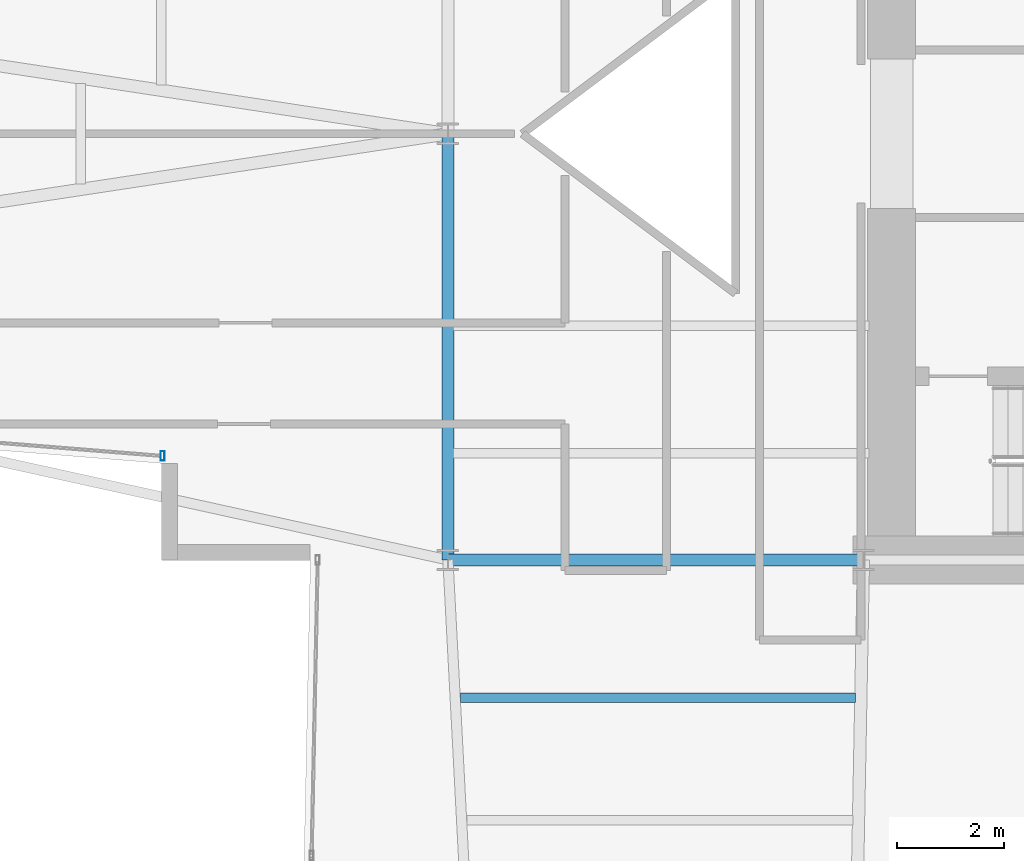
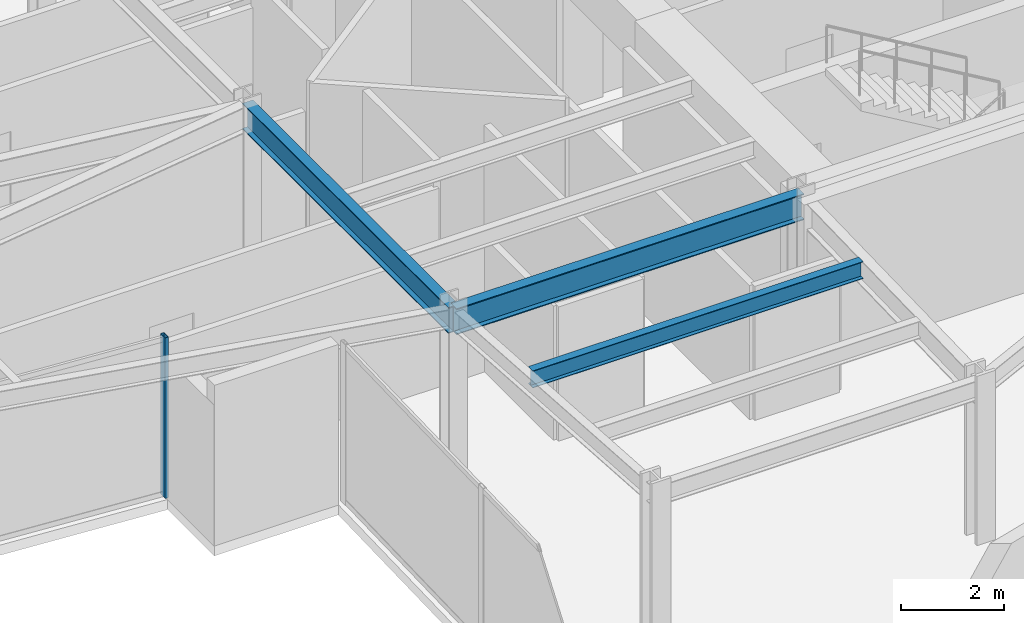
# One storey, part 5 of 23: 3 beams, 1 member, 1 element without a shape of its own.
"""IFC4 building model written with IfcOpenShell, lengths in metres."""

from ifc_helpers import new_model, si_unit, direction, frame, origin, origin_2d, place, context, subcontext, project, spatial, hollow_rectangle, i_section, extrude, material, layer, layer_set, material_profile, profile_set, type_object, element, aggregate, save


model = new_model("IFC4")

# Units and contexts
model_context = context("Model", 3, precision=1e-05, world=origin(), true_north=direction((0.0, 1.0)))
body_context = subcontext(model_context, "Body", "Model", "MODEL_VIEW")
ifc_project = project(units=[si_unit("LENGTHUNIT", "METRE"), si_unit("AREAUNIT", "SQUARE_METRE"), si_unit("VOLUMEUNIT", "CUBIC_METRE"), si_unit("PLANEANGLEUNIT", "RADIAN"), si_unit("MASSUNIT", "GRAM", prefix="KILO")], contexts=[model_context])

# Site, building, storey
site_placement = place(None, origin())
site = spatial("IfcSite", under=ifc_project, at=site_placement, CompositionType="ELEMENT")
building_placement = place(site_placement, origin())
building = spatial("IfcBuilding", under=site, at=building_placement, Name="Veymaron Broadcast Tower", CompositionType="ELEMENT")
storey_placement = place(building_placement, frame((0.0, 0.0, 94.5)))
storey = spatial("IfcBuildingStorey", under=building, at=storey_placement, Name="L21", CompositionType="ELEMENT", Elevation=94.5)

# Beams
ifc_material_1 = material(Name="Structural steel ASTM A992 Gr 50", Category="steel")
ifc_material_profile_1 = material_profile(ifc_material_1, i_section(OverallWidth=0.22998046875, OverallDepth=0.616943359375, WebThickness=0.01318359375, FlangeThickness=0.022216796875, at=origin_2d()), Name="W610X140")
ifc_profile_set_1 = profile_set([ifc_material_profile_1], Name="Structural steel ASTM A992 Gr 50")
beam_type_1 = type_object("IfcBeamType", Name="BM-FG1", PredefinedType="BEAM", material=ifc_profile_set_1)
beam_1_placement = place(storey_placement, frame((31.199951171875, 16.0, 3.50146484375), z_axis=(0.0, 1.0, 0.0), x_axis=(-1.0, 0.0, 0.0)))
element("IfcBeam", 1, at=beam_1_placement, inside=storey, type_object=beam_type_1, Name="L21 primary structural floor girder", PredefinedType="BEAM", context=body_context, shape_type="SweptSolid", body=[
    extrude(i_section(OverallWidth=0.22998046875, OverallDepth=0.616943359375, WebThickness=0.01318359375, FlangeThickness=0.022216796875, at=origin_2d()), origin(), (0.0, 0.0, 1.0), 8.0),
])
beam_2_placement = place(storey_placement, frame((31.199951171875, 16.0, 3.50146484375), z_axis=(1.0, 0.0, 0.0), x_axis=(0.0, 1.0, 0.0)))
element("IfcBeam", 2, at=beam_2_placement, inside=storey, type_object=beam_type_1, Name="L21 primary structural floor girder", PredefinedType="BEAM", context=body_context, shape_type="SweptSolid", body=[
    extrude(i_section(OverallWidth=0.22998046875, OverallDepth=0.616943359375, WebThickness=0.01318359375, FlangeThickness=0.022216796875, at=origin_2d()), origin(), (0.0, 0.0, 1.0), 7.800048828125),
])
ifc_material_profile_2 = material_profile(ifc_material_1, i_section(OverallWidth=0.177978515625, OverallDepth=0.406982421875, WebThickness=0.0078125, FlangeThickness=0.0126953125, at=origin_2d()), Name="W410X60")
ifc_profile_set_2 = profile_set([ifc_material_profile_2], Name="Structural steel ASTM A992 Gr 50")
beam_type_2 = type_object("IfcBeamType", Name="BM-JS1", PredefinedType="JOIST", material=ifc_profile_set_2)
beam_3_placement = place(storey_placement, frame((31.43603515625, 13.41162109375, 3.6064453125), z_axis=(1.0, 0.0, 0.0), x_axis=(0.0, 1.0, 0.0)))
element("IfcBeam", 3, at=beam_3_placement, inside=storey, type_object=beam_type_2, Name="L21 Arm-C secondary joist 1", PredefinedType="JOIST", context=body_context, shape_type="SweptSolid", body=[
    extrude(i_section(OverallWidth=0.177978515625, OverallDepth=0.406982421875, WebThickness=0.0078125, FlangeThickness=0.0126953125, at=origin_2d()), origin(), (0.0, 0.0, 1.0), 7.415283203125),
])

# Curtain wall, member
ifc_material_2 = material(Name="Anodised aluminium AA 6063-T6 and laminated low-E dark glass", Category="aluminium")
ifc_layer = layer(ifc_material_2, 0.179931640625)
ifc_layer_set = layer_set([ifc_layer], Name="Anodised aluminium AA 6063-T6 and laminated low-E dark glass")
curtain_wall_type = type_object("IfcCurtainWallType", Name="CW-SYS-02", PredefinedType="NOTDEFINED", material=ifc_layer_set)
curtain_wall_placement = place(storey_placement, origin())
curtain_wall = element("IfcCurtainWall", 4, at=curtain_wall_placement, inside=storey, type_object=curtain_wall_type, Name="L21 dark-glass curtain wall CW-L21-E14-1", PredefinedType="NOTDEFINED")
ifc_material_3 = material(Name="Anodised aluminium AA 6063-T6", Category="aluminium")
ifc_material_profile_3 = material_profile(ifc_material_3, hollow_rectangle(XDim=0.074951171875, YDim=0.179931640625, WallThickness=0.0048828125, at=origin_2d()), Name="AL180X75X5")
ifc_profile_set_3 = profile_set([ifc_material_profile_3], Name="Anodised aluminium AA 6063-T6")
member_type = type_object("IfcMemberType", Name="CW-MUL-02", PredefinedType="MULLION", material=ifc_profile_set_3)
member_placement = place(storey_placement, frame((25.84326171875, 17.951416015625, 0.0), z_axis=(0.0, 0.0, 1.0), x_axis=(1.0, 0.0, 0.0)))
member = element("IfcMember", 5, at=member_placement, type_object=member_type, Name="CW-L21-E14-1 mullion 2", PredefinedType="MULLION", context=body_context, shape_type="SweptSolid", body=[
    extrude(hollow_rectangle(XDim=0.074951171875, YDim=0.179931640625, WallThickness=0.0048828125, at=origin_2d()), origin(), (0.0, 0.0, 1.0), 3.81005859375),
])
aggregate(curtain_wall, [member])

save(model, "model.ifc")
